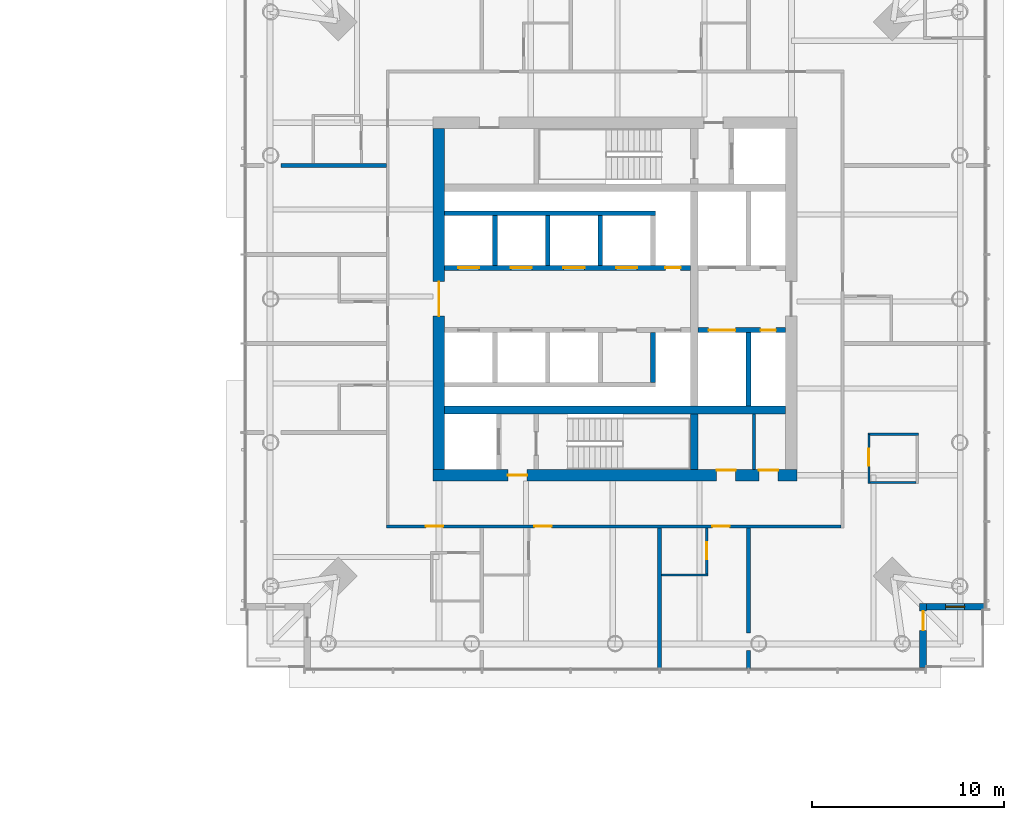
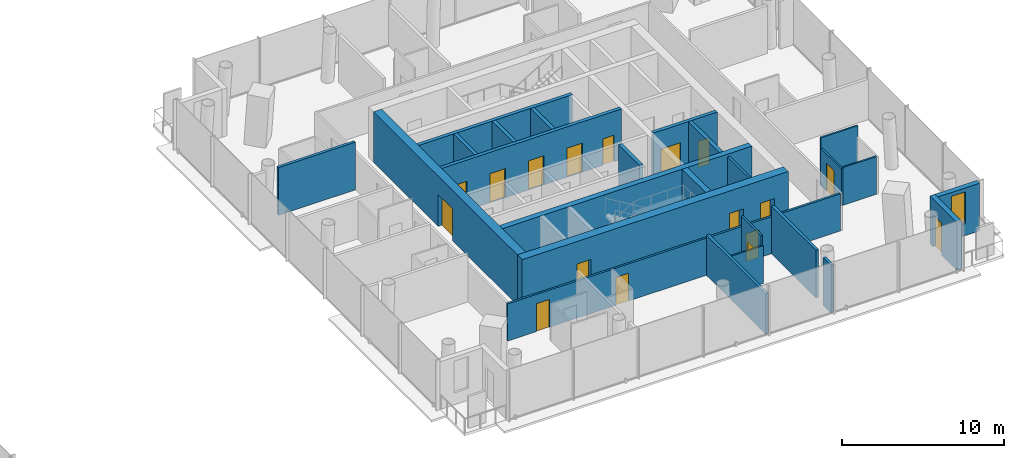
# One storey, part 13 of 21: 25 walls, 17 doors, 1 window, 18 openings.
"""IFC4 building model written with IfcOpenShell, lengths in metres."""

import ifcopenshell
import ifcopenshell.guid

model = None  # the IFC model being written
_history = None  # IfcOwnerHistory: only IFC2X3 demands one
_inside = {}  # id of a spatial element -> (the spatial element, [elements in it])
_under = {}  # id of a project, library or spatial element -> (it, [spatial elements below it])
_declared = {}  # id of a project -> (the project, [libraries it declares])
_typed = {}  # id of a type object -> (the type object, [elements of that type])
_made_of = {}  # id of a material, layer set ... -> (it, [elements and type objects made of it])


def new_model(schema):
    """Start an empty IFC model of exactly this schema.

    Asked for "IFC4X3", IfcOpenShell would pick the latest addendum, in which some entities
    have other attributes; the version numbers below select the first issue.
    IFC2X3 requires an IfcOwnerHistory on every rooted entity: one is made here for all.
    """
    global model, _history
    if schema == "IFC4X3":
        model = ifcopenshell.file(schema_version=(4, 3, 0, 0))
    else:
        model = ifcopenshell.file(schema=schema)
    _inside.clear()
    _under.clear()
    _declared.clear()
    _typed.clear()
    _made_of.clear()
    _history = None
    if model.schema == "IFC2X3":
        org = make("IfcOrganization", Name="unknown")
        user = make(
            "IfcPersonAndOrganization",
            ThePerson=make("IfcPerson", FamilyName="unknown"),
            TheOrganization=org,
        )
        app = make(
            "IfcApplication",
            ApplicationDeveloper=org,
            Version="unknown",
            ApplicationFullName="unknown",
            ApplicationIdentifier="unknown",
        )
        _history = make(
            "IfcOwnerHistory",
            OwningUser=user,
            OwningApplication=app,
            ChangeAction="ADDED",
            CreationDate=0,
        )
    return model


def make(cls, **values):
    """One entity of the class cls with the attributes given. An attribute that is None is left unset."""
    return model.create_entity(
        cls, **{name: value for name, value in values.items() if value is not None}
    )


def rooted(cls, **values):
    """An entity with a GlobalId (a new one), such as an element, a storey or a relation."""
    return make(cls, GlobalId=ifcopenshell.guid.new(), OwnerHistory=_history, **values)


def si_unit(unit_type, name, prefix=None):
    """IfcSIUnit, for example si_unit("LENGTHUNIT", "METRE", prefix="MILLI")."""
    return make("IfcSIUnit", UnitType=unit_type, Prefix=prefix, Name=name)


def assignment(units):
    """IfcUnitAssignment: the units of a project."""
    return None if units is None else make("IfcUnitAssignment", Units=units)


def point(xyz):
    """IfcCartesianPoint."""
    return None if xyz is None else make("IfcCartesianPoint", Coordinates=xyz)


def direction(xyz):
    """IfcDirection."""
    return None if xyz is None else make("IfcDirection", DirectionRatios=xyz)


def frame(location, z_axis=None, x_axis=None):
    """IfcAxis2Placement3D, a coordinate frame: its origin and axes. An axis left out is left unset."""
    return make(
        "IfcAxis2Placement3D",
        Location=point(location),
        Axis=direction(z_axis),
        RefDirection=direction(x_axis),
    )


def frame_2d(location, x_axis=None):
    """IfcAxis2Placement2D, a coordinate frame in the plane: its origin and x axis."""
    return make(
        "IfcAxis2Placement2D", Location=point(location), RefDirection=direction(x_axis)
    )


def origin():
    """The frame at (0, 0, 0) with its axes left unset."""
    return frame((0.0, 0.0, 0.0))


def place(relative_to, where):
    """IfcLocalPlacement: puts the frame where relative to a parent placement (None: the world)."""
    return make(
        "IfcLocalPlacement", PlacementRelTo=relative_to, RelativePlacement=where
    )


def context(
    kind, dimensions, precision=None, world=None, true_north=None, identifier=None
):
    """IfcGeometricRepresentationContext, for example the 3D "Model" context."""
    return make(
        "IfcGeometricRepresentationContext",
        ContextIdentifier=identifier,
        ContextType=kind,
        CoordinateSpaceDimension=dimensions,
        Precision=precision,
        WorldCoordinateSystem=world,
        TrueNorth=true_north,
    )


def subcontext(parent, identifier, kind, view, scale=None):
    """IfcGeometricRepresentationSubContext, for example "Body" below "Model"."""
    return make(
        "IfcGeometricRepresentationSubContext",
        ContextIdentifier=identifier,
        ContextType=kind,
        ParentContext=parent,
        TargetScale=scale,
        TargetView=view,
    )


def project(units=None, contexts=None):
    """IfcProject with its units and contexts."""
    return rooted(
        "IfcProject",
        Name="project",
        RepresentationContexts=contexts,
        UnitsInContext=assignment(units),
    )


def spatial(cls, under=None, at=None, **own):
    """A site, building, storey or space (cls), placed at a placement, below another one or the project."""
    s = rooted(cls, ObjectPlacement=at, **own)
    if under is not None:
        _under.setdefault(under.id(), (under, []))[1].append(s)
    return s


def profile(cls, at=None, kind="AREA", **sizes):
    """A parametric profile (cls). Its sizes go by their IFC names, for example OverallWidth=200.0."""
    return make(cls, ProfileType=kind, Position=at, **sizes)


def rectangle(**sizes):
    """IfcRectangleProfileDef."""
    return profile("IfcRectangleProfileDef", **sizes)


def extrude(swept, where, along, depth):
    """IfcExtrudedAreaSolid: the profile swept, set in the frame where, extruded along a direction by depth."""
    return make(
        "IfcExtrudedAreaSolid",
        SweptArea=swept,
        Position=where,
        ExtrudedDirection=direction(along),
        Depth=depth,
    )


def shape(context_of_items, identifier, shape_type, items):
    """IfcShapeRepresentation: the items that make up one representation, for example the "Body"."""
    return make(
        "IfcShapeRepresentation",
        ContextOfItems=context_of_items,
        RepresentationIdentifier=identifier,
        RepresentationType=shape_type,
        Items=items,
    )


def material(Name=None, Category=None):
    """IfcMaterial."""
    return make("IfcMaterial", Name=Name, Category=Category)


def layer(
    of_material, thickness, ventilated=None, Name=None, Category=None, Priority=None
):
    """IfcMaterialLayer: one layer of a wall or slab, of a material (None: an air gap)."""
    return make(
        "IfcMaterialLayer",
        Material=of_material,
        LayerThickness=thickness,
        IsVentilated=ventilated,
        Name=Name,
        Category=Category,
        Priority=Priority,
    )


def layer_set(layers, Name=None):
    """IfcMaterialLayerSet."""
    return make("IfcMaterialLayerSet", MaterialLayers=layers, LayerSetName=Name)


def made_of(thing, what):
    """Note that an element or type object is made of a material, layer set ...; save() writes the relation."""
    if what is not None:
        _made_of.setdefault(what.id(), (what, []))[1].append(thing)
    return thing


def type_object(cls, material=None, **own):
    """A type object (cls), such as IfcWallType, which elements share."""
    return made_of(rooted(cls, **own), material)


def element(
    cls,
    number,
    at=None,
    inside=None,
    cuts=None,
    type_object=None,
    material=None,
    context=None,
    identifier="Body",
    shape_type=None,
    held_by="IfcProductDefinitionShape",
    body=None,
    shapes=None,
    **own,
):
    """One element of the class cls, such as IfcWall. Its Tag is "e" and its number.

    at: its placement. inside: the storey or other place that contains it. cuts: it is an
    opening in that element (IfcRelVoidsElement). A single representation is given by context,
    identifier, shape_type and body (its items); several are given by shapes. held_by: the class
    of the entity that holds the representations. save() writes the other relations.
    """
    e = rooted(cls, Tag="e%d" % number, ObjectPlacement=at, **own)
    if body is not None:
        shapes = [shape(context, identifier, shape_type, body)]
    if shapes is not None:
        e.Representation = make(held_by, Representations=shapes)
    if inside is not None:
        _inside.setdefault(inside.id(), (inside, []))[1].append(e)
    if cuts is not None:
        rooted(
            "IfcRelVoidsElement", RelatingBuildingElement=cuts, RelatedOpeningElement=e
        )
    if type_object is not None:
        _typed.setdefault(type_object.id(), (type_object, []))[1].append(e)
    return made_of(e, material)


def fill(opening, filler):
    """IfcRelFillsElement: the door or window that sits in an opening."""
    return rooted(
        "IfcRelFillsElement",
        RelatingOpeningElement=opening,
        RelatedBuildingElement=filler,
    )


def aggregate(whole, parts):
    """IfcRelAggregates: a whole, such as a stair, and the parts it consists of."""
    return rooted("IfcRelAggregates", RelatingObject=whole, RelatedObjects=parts)


def save(model, path):
    """Write the relations noted so far, then the file.

    IfcRelAggregates (storeys below a building ...), IfcRelContainedInSpatialStructure (elements
    in a storey), IfcRelDefinesByType, IfcRelAssociatesMaterial and IfcRelDeclares: one each for
    every whole, place, type object, material and project.
    """
    for whole, parts in _under.values():
        aggregate(whole, parts)
    for where, things in _inside.values():
        rooted(
            "IfcRelContainedInSpatialStructure",
            RelatedElements=things,
            RelatingStructure=where,
        )
    for kind, things in _typed.values():
        rooted("IfcRelDefinesByType", RelatedObjects=things, RelatingType=kind)
    for what, things in _made_of.values():
        rooted("IfcRelAssociatesMaterial", RelatedObjects=things, RelatingMaterial=what)
    for by, libraries in _declared.values():
        rooted("IfcRelDeclares", RelatingContext=by, RelatedDefinitions=libraries)
    model.write(path)


model = new_model("IFC4")

# Units and contexts
model_context = context("Model", 3, precision=1e-05, world=origin(), true_north=direction((0.0, 1.0)))
body_context = subcontext(model_context, "Body", "Model", "MODEL_VIEW")
ifc_project = project(units=[si_unit("LENGTHUNIT", "METRE"), si_unit("AREAUNIT", "SQUARE_METRE"), si_unit("VOLUMEUNIT", "CUBIC_METRE"), si_unit("PLANEANGLEUNIT", "RADIAN"), si_unit("MASSUNIT", "GRAM", prefix="KILO")], contexts=[model_context])

# Site, building, storey
site_placement = place(None, origin())
site = spatial("IfcSite", under=ifc_project, at=site_placement, CompositionType="ELEMENT")
building_placement = place(site_placement, origin())
building = spatial("IfcBuilding", under=site, at=building_placement, Name="Ostroluk Exchange", CompositionType="ELEMENT")
storey_placement = place(building_placement, frame((0.0, 0.0, 43.800048828125)))
storey = spatial("IfcBuildingStorey", under=building, at=storey_placement, Name="L10", CompositionType="ELEMENT", Elevation=43.800048828125)

# Walls
ifc_material_1 = material(Name="Concrete blockwork", Category="masonry")
ifc_layer_1 = layer(ifc_material_1, 0.14990234375)
ifc_layer_set_1 = layer_set([ifc_layer_1], Name="Blockwork plant room wall 150")
wall_type_1 = type_object("IfcWallType", Name="Blockwork plant room wall 150", PredefinedType="SOLIDWALL", material=ifc_layer_set_1)
wall_1_placement = place(storey_placement, frame((124.2548828125, 37.10009765625, 0.0), z_axis=(0.0, 0.0, 1.0), x_axis=(0.0, 1.0, 0.0)))
element("IfcWall", 1, at=wall_1_placement, inside=storey, type_object=wall_type_1, Name="Core room wall", PredefinedType="SOLIDWALL", context=body_context, shape_type="SweptSolid", body=[
    extrude(rectangle(XDim=2.89990234375, YDim=0.14990234375, at=frame_2d((1.449951171875, 0.0))), origin(), (0.0, 0.0, 1.0), 3.599853515625),
])
ifc_material_2 = material(Name="Concrete C50/60", Category="concrete")
ifc_layer_2 = layer(ifc_material_2, 0.39990234375)
ifc_layer_set_2 = layer_set([ifc_layer_2], Name="Core cross wall 400 C50/60")
wall_type_2 = type_object("IfcWallType", Name="Core cross wall 400 C50/60", PredefinedType="SHEAR", material=ifc_layer_set_2)
wall_2_placement = place(storey_placement, frame((108.10009765625, 40.199951171875, 0.0), z_axis=(0.0, 0.0, 1.0), x_axis=(1.0, 0.0, 0.0)))
element("IfcWall", 2, at=wall_2_placement, inside=storey, type_object=wall_type_2, Name="T2 core wall XS", PredefinedType="SHEAR", context=body_context, shape_type="SweptSolid", body=[
    extrude(rectangle(XDim=17.7998046875, YDim=0.39990234375, at=frame_2d((8.89990234375, 0.0))), origin(), (0.0, 0.0, 1.0), 3.800048828125),
])
wall_3_placement = place(storey_placement, frame((121.1298828125, 37.10009765625, 0.0), z_axis=(0.0, 0.0, 1.0), x_axis=(0.0, 1.0, 0.0)))
element("IfcWall", 3, at=wall_3_placement, inside=storey, type_object=wall_type_2, Name="T2 core wall YE1", PredefinedType="SHEAR", context=body_context, shape_type="SweptSolid", body=[
    extrude(rectangle(XDim=2.89990234375, YDim=0.39990234375, at=frame_2d((1.449951171875, 0.0))), origin(), (0.0, 0.0, 1.0), 3.800048828125),
])
ifc_material_3 = material(Name="Concrete C40/50", Category="concrete")
ifc_layer_3 = layer(ifc_material_3, 0.25)
ifc_layer_set_3 = layer_set([ifc_layer_3], Name="Core shaft wall 250")
wall_type_3 = type_object("IfcWallType", Name="Core shaft wall 250", PredefinedType="SHEAR", material=ifc_layer_set_3)
for number, where, z_axis, x_axis, name in (
    (4, (110.72509765625, 47.75, 0.0), (0.0, 0.0, 1.0), (0.0, 1.0, 0.0), "Lift shaft wall"),
    (5, (113.47509765625, 47.75, 0.0), (0.0, 0.0, 1.0), (0.0, 1.0, 0.0), "Lift shaft wall"),
    (6, (116.22509765625, 47.75, 0.0), (0.0, 0.0, 1.0), (0.0, 1.0, 0.0), "Lift shaft wall"),
):
    element("IfcWall", number, at=place(storey_placement, frame(where, z_axis=z_axis, x_axis=x_axis)), inside=storey, type_object=wall_type_3, Name=name, PredefinedType="SHEAR", context=body_context, shape_type="SweptSolid", body=[
        extrude(rectangle(XDim=2.60009765625, YDim=0.25, at=frame_2d((1.300048828125, 0.0))), origin(), (0.0, 0.0, 1.0), 3.800048828125),
    ])
wall_4_placement = place(storey_placement, frame((108.10009765625, 50.47509765625, 0.0), z_axis=(0.0, 0.0, 1.0), x_axis=(1.0, 0.0, 0.0)))
element("IfcWall", 7, at=wall_4_placement, inside=storey, type_object=wall_type_3, Name="Lift shaft wall", PredefinedType="SHEAR", context=body_context, shape_type="SweptSolid", body=[
    extrude(rectangle(XDim=11.0, YDim=0.25, at=frame_2d((5.5, 0.0))), origin(), (0.0, 0.0, 1.0), 3.800048828125),
])

# Wall, openings, doors
wall_5_placement = place(storey_placement, frame((108.10009765625, 47.625, 0.0), z_axis=(0.0, 0.0, 1.0), x_axis=(1.0, 0.0, 0.0)))
wall_5 = element("IfcWall", 8, at=wall_5_placement, inside=storey, type_object=wall_type_3, Name="Lift shaft front wall", PredefinedType="SHEAR", context=body_context, shape_type="SweptSolid", body=[
    extrude(rectangle(XDim=12.829833984375, YDim=0.25, at=frame_2d((6.4150390625, 0.0))), origin(), (0.0, 0.0, 1.0), 3.800048828125),
])
opening_1_placement = place(wall_5_placement, frame((0.699951171875, 0.0, 0.0)))
opening_1 = element("IfcOpeningElement", 9, at=opening_1_placement, cuts=wall_5, Name="Opening LD", PredefinedType="OPENING", context=body_context, shape_type="SweptSolid", body=[
    extrude(rectangle(XDim=1.10009765625, YDim=2.199951171875, at=frame_2d((0.550048828125, 1.10009765625))), frame((0.0, 0.135009765625, 0.0), z_axis=(0.0, -1.0, 0.0), x_axis=(1.0, 0.0, 0.0)), (0.0, 0.0, 1.0), 0.27001953125),
])
opening_2_placement = place(wall_5_placement, frame((3.449951171875, 0.0, 0.0)))
opening_2 = element("IfcOpeningElement", 10, at=opening_2_placement, cuts=wall_5, Name="Opening LD", PredefinedType="OPENING", context=body_context, shape_type="SweptSolid", body=[
    extrude(rectangle(XDim=1.10009765625, YDim=2.199951171875, at=frame_2d((0.550048828125, 1.10009765625))), frame((0.0, 0.135009765625, 0.0), z_axis=(0.0, -1.0, 0.0), x_axis=(1.0, 0.0, 0.0)), (0.0, 0.0, 1.0), 0.27001953125),
])
opening_3_placement = place(wall_5_placement, frame((6.199951171875, 0.0, 0.0)))
opening_3 = element("IfcOpeningElement", 11, at=opening_3_placement, cuts=wall_5, Name="Opening LD", PredefinedType="OPENING", context=body_context, shape_type="SweptSolid", body=[
    extrude(rectangle(XDim=1.10009765625, YDim=2.199951171875, at=frame_2d((0.550048828125, 1.10009765625))), frame((0.0, 0.135009765625, 0.0), z_axis=(0.0, -1.0, 0.0), x_axis=(1.0, 0.0, 0.0)), (0.0, 0.0, 1.0), 0.27001953125),
])
opening_4_placement = place(wall_5_placement, frame((8.949951171875, 0.0, 0.0)))
opening_4 = element("IfcOpeningElement", 12, at=opening_4_placement, cuts=wall_5, Name="Opening LD", PredefinedType="OPENING", context=body_context, shape_type="SweptSolid", body=[
    extrude(rectangle(XDim=1.10009765625, YDim=2.199951171875, at=frame_2d((0.550048828125, 1.10009765625))), frame((0.0, 0.135009765625, 0.0), z_axis=(0.0, -1.0, 0.0), x_axis=(1.0, 0.0, 0.0)), (0.0, 0.0, 1.0), 0.27001953125),
])
opening_5_placement = place(wall_5_placement, frame((11.514892578125, 0.0, 0.0)))
opening_5 = element("IfcOpeningElement", 13, at=opening_5_placement, cuts=wall_5, Name="Opening RD60", PredefinedType="OPENING", context=body_context, shape_type="SweptSolid", body=[
    extrude(rectangle(XDim=0.800048828125, YDim=2.0, at=frame_2d((0.39990234375, 1.0))), frame((0.0, 0.135009765625, 0.0), z_axis=(0.0, -1.0, 0.0), x_axis=(1.0, 0.0, 0.0)), (0.0, 0.0, 1.0), 0.27001953125),
])
ifc_material_4 = material(Name="Stainless steel", Category="steel")
door_type_1 = type_object("IfcDoorType", Name="Lift landing door E 60 1100 x 2200", OperationType="DOUBLE_DOOR_SLIDING", PredefinedType="DOOR", material=ifc_material_4)
door_1_placement = place(opening_1_placement, origin())
door_1 = element("IfcDoor", 14, at=door_1_placement, inside=storey, type_object=door_type_1, Name="Lift HL1 landing door", OperationType="DOUBLE_DOOR_SLIDING", OverallHeight=2.199951171875, OverallWidth=1.10009765625, PredefinedType="DOOR", context=body_context, shape_type="SweptSolid", body=[
    extrude(rectangle(XDim=1.10009765625, YDim=2.199951171875, at=frame_2d((0.550048828125, 1.10009765625))), frame((0.0, 0.02490234375, 0.0), z_axis=(0.0, -1.0, 0.0), x_axis=(1.0, 0.0, 0.0)), (0.0, 0.0, 1.0), 0.050048828125),
])
fill(opening_1, door_1)
door_2_placement = place(opening_2_placement, origin())
door_2 = element("IfcDoor", 15, at=door_2_placement, inside=storey, type_object=door_type_1, Name="Lift HL2 landing door", OperationType="DOUBLE_DOOR_SLIDING", OverallHeight=2.199951171875, OverallWidth=1.10009765625, PredefinedType="DOOR", context=body_context, shape_type="SweptSolid", body=[
    extrude(rectangle(XDim=1.10009765625, YDim=2.199951171875, at=frame_2d((0.550048828125, 1.10009765625))), frame((0.0, 0.02490234375, 0.0), z_axis=(0.0, -1.0, 0.0), x_axis=(1.0, 0.0, 0.0)), (0.0, 0.0, 1.0), 0.050048828125),
])
fill(opening_2, door_2)
door_3_placement = place(opening_3_placement, origin())
door_3 = element("IfcDoor", 16, at=door_3_placement, inside=storey, type_object=door_type_1, Name="Lift HL3 landing door", OperationType="DOUBLE_DOOR_SLIDING", OverallHeight=2.199951171875, OverallWidth=1.10009765625, PredefinedType="DOOR", context=body_context, shape_type="SweptSolid", body=[
    extrude(rectangle(XDim=1.10009765625, YDim=2.199951171875, at=frame_2d((0.550048828125, 1.10009765625))), frame((0.0, 0.02490234375, 0.0), z_axis=(0.0, -1.0, 0.0), x_axis=(1.0, 0.0, 0.0)), (0.0, 0.0, 1.0), 0.050048828125),
])
fill(opening_3, door_3)
door_4_placement = place(opening_4_placement, origin())
door_4 = element("IfcDoor", 17, at=door_4_placement, inside=storey, type_object=door_type_1, Name="Lift HL4 landing door", OperationType="DOUBLE_DOOR_SLIDING", OverallHeight=2.199951171875, OverallWidth=1.10009765625, PredefinedType="DOOR", context=body_context, shape_type="SweptSolid", body=[
    extrude(rectangle(XDim=1.10009765625, YDim=2.199951171875, at=frame_2d((0.550048828125, 1.10009765625))), frame((0.0, 0.02490234375, 0.0), z_axis=(0.0, -1.0, 0.0), x_axis=(1.0, 0.0, 0.0)), (0.0, 0.0, 1.0), 0.050048828125),
])
fill(opening_4, door_4)
ifc_material_5 = material(Name="Steel", Category="steel")
door_type_2 = type_object("IfcDoorType", Name="Riser access door EI 60 800 x 2000", OperationType="SINGLE_SWING_LEFT", PredefinedType="DOOR", material=ifc_material_5)
door_5_placement = place(opening_5_placement, origin())
door_5 = element("IfcDoor", 18, at=door_5_placement, inside=storey, type_object=door_type_2, Name="Riser access door", OperationType="SINGLE_SWING_RIGHT", OverallHeight=2.0, OverallWidth=0.800048828125, PredefinedType="DOOR", context=body_context, shape_type="SweptSolid", body=[
    extrude(rectangle(XDim=0.800048828125, YDim=2.0, at=frame_2d((0.39990234375, 1.0))), frame((0.0, 0.02490234375, 0.0), z_axis=(0.0, -1.0, 0.0), x_axis=(1.0, 0.0, 0.0)), (0.0, 0.0, 1.0), 0.050048828125),
])
fill(opening_5, door_5)

# Walls
wall_6_placement = place(storey_placement, frame((118.97509765625, 44.25, 0.0), z_axis=(0.0, 0.0, 1.0), x_axis=(0.0, -1.0, 0.0)))
element("IfcWall", 19, at=wall_6_placement, inside=storey, type_object=wall_type_3, Name="Lift shaft wall", PredefinedType="SHEAR", context=body_context, shape_type="SweptSolid", body=[
    extrude(rectangle(XDim=2.60009765625, YDim=0.25, at=frame_2d((1.300048828125, 0.0))), origin(), (0.0, 0.0, 1.0), 3.800048828125),
])
wall_7_placement = place(storey_placement, frame((123.955078125, 44.25, 0.0), z_axis=(0.0, 0.0, 1.0), x_axis=(0.0, -1.0, 0.0)))
element("IfcWall", 20, at=wall_7_placement, inside=storey, type_object=wall_type_3, Name="Lift shaft wall", PredefinedType="SHEAR", context=body_context, shape_type="SweptSolid", body=[
    extrude(rectangle(XDim=3.85009765625, YDim=0.25, at=frame_2d((1.925048828125, 0.0))), origin(), (0.0, 0.0, 1.0), 3.800048828125),
])

# Wall, openings, doors
wall_8_placement = place(storey_placement, frame((121.330078125, 44.375, 0.0), z_axis=(0.0, 0.0, 1.0), x_axis=(1.0, 0.0, 0.0)))
wall_8 = element("IfcWall", 21, at=wall_8_placement, inside=storey, type_object=wall_type_3, Name="Lift shaft front wall", PredefinedType="SHEAR", context=body_context, shape_type="SweptSolid", body=[
    extrude(rectangle(XDim=4.56982421875, YDim=0.25, at=frame_2d((2.284912109375, 0.0))), origin(), (0.0, 0.0, 1.0), 3.800048828125),
])
opening_6_placement = place(wall_8_placement, frame((0.550048828125, 0.0, 0.0)))
opening_6 = element("IfcOpeningElement", 22, at=opening_6_placement, cuts=wall_8, Name="Opening LD3", PredefinedType="OPENING", context=body_context, shape_type="SweptSolid", body=[
    extrude(rectangle(XDim=1.39990234375, YDim=2.39990234375, at=frame_2d((0.699951171875, 1.199951171875))), frame((0.0, 0.135009765625, 0.0), z_axis=(0.0, -1.0, 0.0), x_axis=(1.0, 0.0, 0.0)), (0.0, 0.0, 1.0), 0.27001953125),
])
opening_7_placement = place(wall_8_placement, frame((3.260009765625, 0.0, 0.0)))
opening_7 = element("IfcOpeningElement", 23, at=opening_7_placement, cuts=wall_8, Name="Opening RD60", PredefinedType="OPENING", context=body_context, shape_type="SweptSolid", body=[
    extrude(rectangle(XDim=0.800048828125, YDim=2.0, at=frame_2d((0.39990234375, 1.0))), frame((0.0, 0.135009765625, 0.0), z_axis=(0.0, -1.0, 0.0), x_axis=(1.0, 0.0, 0.0)), (0.0, 0.0, 1.0), 0.27001953125),
])
ifc_material_6 = material(Name="Stainless steel", Category="steel")
door_type_3 = type_object("IfcDoorType", Name="Goods lift landing door E 60 1400 x 2400", OperationType="DOUBLE_DOOR_SLIDING", PredefinedType="DOOR", material=ifc_material_6)
door_6_placement = place(opening_6_placement, origin())
door_6 = element("IfcDoor", 24, at=door_6_placement, inside=storey, type_object=door_type_3, Name="Lift HS2 landing door", OperationType="DOUBLE_DOOR_SLIDING", OverallHeight=2.39990234375, OverallWidth=1.39990234375, PredefinedType="DOOR", context=body_context, shape_type="SweptSolid", body=[
    extrude(rectangle(XDim=1.39990234375, YDim=2.39990234375, at=frame_2d((0.699951171875, 1.199951171875))), frame((0.0, 0.02490234375, 0.0), z_axis=(0.0, -1.0, 0.0), x_axis=(1.0, 0.0, 0.0)), (0.0, 0.0, 1.0), 0.050048828125),
])
fill(opening_6, door_6)
door_7_placement = place(opening_7_placement, origin())
door_7 = element("IfcDoor", 25, at=door_7_placement, inside=storey, type_object=door_type_2, Name="Riser access door", OperationType="SINGLE_SWING_RIGHT", OverallHeight=2.0, OverallWidth=0.800048828125, PredefinedType="DOOR", context=body_context, shape_type="SweptSolid", body=[
    extrude(rectangle(XDim=0.800048828125, YDim=2.0, at=frame_2d((0.39990234375, 1.0))), frame((0.0, 0.02490234375, 0.0), z_axis=(0.0, -1.0, 0.0), x_axis=(1.0, 0.0, 0.0)), (0.0, 0.0, 1.0), 0.050048828125),
])
fill(opening_7, door_7)

ifc_material_7 = material(Name="Concrete C50/60", Category="concrete")
ifc_layer_4 = layer(ifc_material_7, 0.60009765625)
ifc_layer_set_4 = layer_set([ifc_layer_4], Name="Core wall 600 C50/60")
wall_type_4 = type_object("IfcWallType", Name="Core wall 600 C50/60", PredefinedType="SHEAR", material=ifc_layer_set_4)
wall_9_placement = place(storey_placement, frame((107.5, 36.800048828125, 0.0), z_axis=(0.0, 0.0, 1.0), x_axis=(1.0, 0.0, 0.0)))
wall_9 = element("IfcWall", 26, at=wall_9_placement, inside=storey, type_object=wall_type_4, Name="T2 core wall S", PredefinedType="SHEAR", context=body_context, shape_type="SweptSolid", body=[
    extrude(rectangle(XDim=19.0, YDim=0.60009765625, at=frame_2d((9.5, 0.0))), origin(), (0.0, 0.0, 1.0), 3.800048828125),
])
opening_8_placement = place(wall_9_placement, frame((3.89990234375, 0.0, 0.0)))
opening_8 = element("IfcOpeningElement", 27, at=opening_8_placement, cuts=wall_9, Name="Opening FD60", PredefinedType="OPENING", context=body_context, shape_type="SweptSolid", body=[
    extrude(rectangle(XDim=1.0, YDim=2.10009765625, at=frame_2d((0.5, 1.050048828125))), frame((0.0, 0.31005859375, 0.0), z_axis=(0.0, -1.0, 0.0), x_axis=(1.0, 0.0, 0.0)), (0.0, 0.0, 1.0), 0.6201171875),
])
opening_9_placement = place(wall_9_placement, frame((14.79248046875, 0.0, 0.0)))
opening_9 = element("IfcOpeningElement", 28, at=opening_9_placement, cuts=wall_9, Name="Opening FD60", PredefinedType="OPENING", context=body_context, shape_type="SweptSolid", body=[
    extrude(rectangle(XDim=1.0, YDim=2.10009765625, at=frame_2d((0.5, 1.050048828125))), frame((0.0, 0.31005859375, 0.0), z_axis=(0.0, -1.0, 0.0), x_axis=(1.0, 0.0, 0.0)), (0.0, 0.0, 1.0), 0.6201171875),
])
opening_10_placement = place(wall_9_placement, frame((17.0048828125, 0.0, 0.0)))
opening_10 = element("IfcOpeningElement", 29, at=opening_10_placement, cuts=wall_9, Name="Opening FD60", PredefinedType="OPENING", context=body_context, shape_type="SweptSolid", body=[
    extrude(rectangle(XDim=1.0, YDim=2.10009765625, at=frame_2d((0.5, 1.050048828125))), frame((0.0, 0.31005859375, 0.0), z_axis=(0.0, -1.0, 0.0), x_axis=(1.0, 0.0, 0.0)), (0.0, 0.0, 1.0), 0.6201171875),
])
ifc_material_8 = material(Name="Steel", Category="steel")
door_type_4 = type_object("IfcDoorType", Name="Fire door EI 60 1000 x 2100", OperationType="SINGLE_SWING_LEFT", PredefinedType="DOOR", material=ifc_material_8)
door_8_placement = place(opening_8_placement, origin())
door_8 = element("IfcDoor", 30, at=door_8_placement, inside=storey, type_object=door_type_4, Name="Firefighting lobby door", OperationType="SINGLE_SWING_LEFT", OverallHeight=2.10009765625, OverallWidth=1.0, PredefinedType="DOOR", context=body_context, shape_type="SweptSolid", body=[
    extrude(rectangle(XDim=1.0, YDim=2.10009765625, at=frame_2d((0.5, 1.050048828125))), frame((0.0, 0.02490234375, 0.0), z_axis=(0.0, -1.0, 0.0), x_axis=(1.0, 0.0, 0.0)), (0.0, 0.0, 1.0), 0.050048828125),
])
fill(opening_8, door_8)
door_9_placement = place(opening_9_placement, origin())
door_9 = element("IfcDoor", 31, at=door_9_placement, inside=storey, type_object=door_type_4, Name="Ice and vending room door", OperationType="SINGLE_SWING_RIGHT", OverallHeight=2.10009765625, OverallWidth=1.0, PredefinedType="DOOR", context=body_context, shape_type="SweptSolid", body=[
    extrude(rectangle(XDim=1.0, YDim=2.10009765625, at=frame_2d((0.5, 1.050048828125))), frame((0.0, 0.2900390625, 0.0), z_axis=(0.0, -1.0, 0.0), x_axis=(1.0, 0.0, 0.0)), (0.0, 0.0, 1.0), 0.050048828125),
])
fill(opening_9, door_9)
door_10_placement = place(opening_10_placement, origin())
door_10 = element("IfcDoor", 32, at=door_10_placement, inside=storey, type_object=door_type_4, Name="Luggage store door", OperationType="SINGLE_SWING_RIGHT", OverallHeight=2.10009765625, OverallWidth=1.0, PredefinedType="DOOR", context=body_context, shape_type="SweptSolid", body=[
    extrude(rectangle(XDim=1.0, YDim=2.10009765625, at=frame_2d((0.5, 1.050048828125))), frame((0.0, 0.2900390625, 0.0), z_axis=(0.0, -1.0, 0.0), x_axis=(1.0, 0.0, 0.0)), (0.0, 0.0, 1.0), 0.050048828125),
])
fill(opening_10, door_10)

# Wall, opening, door
wall_10_placement = place(storey_placement, frame((107.800048828125, 37.10009765625, 0.0), z_axis=(0.0, 0.0, 1.0), x_axis=(0.0, 1.0, 0.0)))
wall_10 = element("IfcWall", 33, at=wall_10_placement, inside=storey, type_object=wall_type_4, Name="T2 core wall W", PredefinedType="SHEAR", context=body_context, shape_type="SweptSolid", body=[
    extrude(rectangle(XDim=17.7998046875, YDim=0.60009765625, at=frame_2d((8.89990234375, 0.0))), origin(), (0.0, 0.0, 1.0), 3.800048828125),
])
opening_11_placement = place(wall_10_placement, frame((8.0, 0.0, 0.0)))
opening_11 = element("IfcOpeningElement", 34, at=opening_11_placement, cuts=wall_10, Name="Opening FD30D", PredefinedType="OPENING", context=body_context, shape_type="SweptSolid", body=[
    extrude(rectangle(XDim=1.800048828125, YDim=2.39990234375, at=frame_2d((0.89990234375, 1.199951171875))), frame((0.0, 0.31005859375, 0.0), z_axis=(0.0, -1.0, 0.0), x_axis=(1.0, 0.0, 0.0)), (0.0, 0.0, 1.0), 0.6201171875),
])
ifc_material_9 = material(Name="Timber", Category="wood")
door_type_5 = type_object("IfcDoorType", Name="Lobby double door EI 30 1800 x 2400", OperationType="DOUBLE_DOOR_SINGLE_SWING", PredefinedType="DOOR", material=ifc_material_9)
door_11_placement = place(opening_11_placement, origin())
door_11 = element("IfcDoor", 35, at=door_11_placement, inside=storey, type_object=door_type_5, Name="Lift lobby doors", OperationType="DOUBLE_DOOR_SINGLE_SWING", OverallHeight=2.39990234375, OverallWidth=1.800048828125, PredefinedType="DOOR", context=body_context, shape_type="SweptSolid", body=[
    extrude(rectangle(XDim=1.800048828125, YDim=2.39990234375, at=frame_2d((0.89990234375, 1.199951171875))), frame((0.0, 0.02490234375, 0.0), z_axis=(0.0, -1.0, 0.0), x_axis=(1.0, 0.0, 0.0)), (0.0, 0.0, 1.0), 0.050048828125),
])
fill(opening_11, door_11)

ifc_material_10 = material(Name="Limestone", Category="masonry")
ifc_layer_5 = layer(ifc_material_10, 0.35009765625)
ifc_layer_set_5 = layer_set([ifc_layer_5], Name="Limestone facade wall 350")
wall_type_5 = type_object("IfcWallType", Name="Limestone facade wall 350", PredefinedType="SOLIDWALL", material=ifc_layer_set_5)
wall_11_placement = place(storey_placement, frame((133.074951171875, 26.75, 0.0), z_axis=(0.0, 0.0, 1.0), x_axis=(0.0, 1.0, 0.0)))
wall_11 = element("IfcWall", 36, at=wall_11_placement, inside=storey, type_object=wall_type_5, Name="Hotel tower SE corner wall L10 a", PredefinedType="SOLIDWALL", context=body_context, shape_type="SweptSolid", body=[
    extrude(rectangle(XDim=3.35009765625, YDim=0.35009765625, at=frame_2d((1.675048828125, 0.0))), origin(), (0.0, 0.0, 1.0), 3.599853515625),
])
opening_12_placement = place(wall_11_placement, frame((1.949951171875, 0.0, 0.0)))
opening_12 = element("IfcOpeningElement", 37, at=opening_12_placement, cuts=wall_11, Name="Opening D-B1", PredefinedType="OPENING", context=body_context, shape_type="SweptSolid", body=[
    extrude(rectangle(XDim=1.0, YDim=2.39990234375, at=frame_2d((0.5, 1.199951171875))), frame((0.0, 0.18505859375, 0.0), z_axis=(0.0, -1.0, 0.0), x_axis=(1.0, 0.0, 0.0)), (0.0, 0.0, 1.0), 0.3701171875),
])
ifc_material_11 = material(Name="Bronze framed glazed door", Category="aluminium")
door_type_6 = type_object("IfcDoorType", Name="Balcony door 1000 x 2400", OperationType="SINGLE_SWING_LEFT", PredefinedType="DOOR", material=ifc_material_11)
door_12_placement = place(opening_12_placement, origin())
door_12 = element("IfcDoor", 38, at=door_12_placement, inside=storey, type_object=door_type_6, Name="Hotel tower SE balcony door L10", OperationType="SINGLE_SWING_RIGHT", OverallHeight=2.39990234375, OverallWidth=1.0, PredefinedType="DOOR", context=body_context, shape_type="SweptSolid", body=[
    extrude(rectangle(XDim=1.0, YDim=2.39990234375, at=frame_2d((0.5, 1.199951171875))), frame((0.0, 0.02490234375, 0.0), z_axis=(0.0, -1.0, 0.0), x_axis=(1.0, 0.0, 0.0)), (0.0, 0.0, 1.0), 0.050048828125),
])
fill(opening_12, door_12)

# Wall, opening, window
wall_12_placement = place(storey_placement, frame((133.25, 29.925048828125, 0.0), z_axis=(0.0, 0.0, 1.0), x_axis=(1.0, 0.0, 0.0)))
wall_12 = element("IfcWall", 39, at=wall_12_placement, inside=storey, type_object=wall_type_5, Name="Hotel tower SE corner wall L10 b", PredefinedType="SOLIDWALL", context=body_context, shape_type="SweptSolid", body=[
    extrude(rectangle(XDim=3.0, YDim=0.35009765625, at=frame_2d((1.5, 0.0))), origin(), (0.0, 0.0, 1.0), 3.599853515625),
])
opening_13_placement = place(wall_12_placement, frame((1.0, 0.0, 0.89990234375)))
opening_13 = element("IfcOpeningElement", 40, at=opening_13_placement, cuts=wall_12, Name="Opening WN-L3", PredefinedType="OPENING", context=body_context, shape_type="SweptSolid", body=[
    extrude(rectangle(XDim=1.0, YDim=2.39990234375, at=frame_2d((0.5, 1.199951171875))), frame((0.0, 0.18505859375, 0.0), z_axis=(0.0, -1.0, 0.0), x_axis=(1.0, 0.0, 0.0)), (0.0, 0.0, 1.0), 0.3701171875),
])
ifc_material_12 = material(Name="Laminated clear glass", Category="glass")
window_type = type_object("IfcWindowType", Name="Hotel lancet window 1000 x 2400", PartitioningType="SINGLE_PANEL", PredefinedType="WINDOW", material=ifc_material_12)
window_placement = place(opening_13_placement, origin())
window = element("IfcWindow", 41, at=window_placement, inside=storey, type_object=window_type, Name="Hotel tower SE lancet window L10", OverallHeight=2.39990234375, OverallWidth=1.0, PartitioningType="SINGLE_PANEL", PredefinedType="WINDOW", context=body_context, shape_type="SweptSolid", body=[
    extrude(rectangle(XDim=1.0, YDim=2.39990234375, at=frame_2d((0.5, 1.199951171875))), frame((0.0, 0.030029296875, 0.0), z_axis=(0.0, -1.0, 0.0), x_axis=(1.0, 0.0, 0.0)), (0.0, 0.0, 1.0), 0.06005859375),
])
fill(opening_13, window)

# Wall, opening, door
ifc_material_13 = material(Name="Gypsum plasterboard partition, moisture resistant", Category="gypsum")
ifc_layer_6 = layer(ifc_material_13, 0.1201171875)
ifc_layer_set_6 = layer_set([ifc_layer_6], Name="Plasterboard en-suite wall 120")
wall_type_6 = type_object("IfcWallType", Name="Plasterboard en-suite wall 120", PredefinedType="PARTITIONING", material=ifc_layer_set_6)
wall_13_placement = place(storey_placement, frame((130.25, 38.935791015625, 0.0), z_axis=(0.0, 0.0, 1.0), x_axis=(0.0, -1.0, 0.0)))
wall_13 = element("IfcWall", 42, at=wall_13_placement, inside=storey, type_object=wall_type_6, Name="En-suite wall", PredefinedType="PARTITIONING", context=body_context, shape_type="SweptSolid", body=[
    extrude(rectangle(XDim=2.580078125, YDim=0.1201171875, at=frame_2d((1.2900390625, 0.0))), origin(), (0.0, 0.0, 1.0), 2.800048828125),
])
opening_14_placement = place(wall_13_placement, frame((0.75, 0.0, 0.0)))
opening_14 = element("IfcOpeningElement", 43, at=opening_14_placement, cuts=wall_13, Name="Opening D-02", PredefinedType="OPENING", context=body_context, shape_type="SweptSolid", body=[
    extrude(rectangle(XDim=0.89990234375, YDim=2.10009765625, at=frame_2d((0.449951171875, 1.050048828125))), frame((0.0, 0.070068359375, 0.0), z_axis=(0.0, -1.0, 0.0), x_axis=(1.0, 0.0, 0.0)), (0.0, 0.0, 1.0), 0.14013671875),
])
ifc_material_14 = material(Name="Timber", Category="wood")
door_type_7 = type_object("IfcDoorType", Name="En-suite door 900 x 2100", OperationType="SINGLE_SWING_LEFT", PredefinedType="DOOR", material=ifc_material_14)
door_13_placement = place(opening_14_placement, origin())
door_13 = element("IfcDoor", 44, at=door_13_placement, inside=storey, type_object=door_type_7, Name="En-suite door 1001", OperationType="SINGLE_SWING_LEFT", OverallHeight=2.10009765625, OverallWidth=0.89990234375, PredefinedType="DOOR", context=body_context, shape_type="SweptSolid", body=[
    extrude(rectangle(XDim=0.89990234375, YDim=2.10009765625, at=frame_2d((0.449951171875, 1.050048828125))), frame((0.0, 0.02490234375, 0.0), z_axis=(0.0, -1.0, 0.0), x_axis=(1.0, 0.0, 0.0)), (0.0, 0.0, 1.0), 0.050048828125),
])
fill(opening_14, door_13)

# Walls
wall_14_placement = place(storey_placement, frame((130.31005859375, 36.415771484375, 0.0), z_axis=(0.0, 0.0, 1.0), x_axis=(1.0, 0.0, 0.0)))
element("IfcWall", 45, at=wall_14_placement, inside=storey, type_object=wall_type_6, Name="En-suite wall", PredefinedType="PARTITIONING", context=body_context, shape_type="SweptSolid", body=[
    extrude(rectangle(XDim=2.39990234375, YDim=0.1201171875, at=frame_2d((1.199951171875, 0.0))), origin(), (0.0, 0.0, 1.0), 2.846923828125),
])
wall_15_placement = place(storey_placement, frame((130.18994140625, 38.935791015625, 0.0), z_axis=(0.0, 0.0, 1.0), x_axis=(1.0, 0.0, 0.0)))
element("IfcWall", 46, at=wall_15_placement, inside=storey, type_object=wall_type_6, Name="En-suite wall", PredefinedType="PARTITIONING", context=body_context, shape_type="SweptSolid", body=[
    extrude(rectangle(XDim=2.64013671875, YDim=0.1201171875, at=frame_2d((1.320068359375, 0.0))), origin(), (0.0, 0.0, 1.0), 3.599853515625),
])
wall_16_placement = place(storey_placement, frame((119.42138671875, 31.590087890625, 0.0), z_axis=(0.0, 0.0, 1.0), x_axis=(1.0, 0.0, 0.0)))
element("IfcWall", 47, at=wall_16_placement, inside=storey, type_object=wall_type_6, Name="En-suite wall", PredefinedType="PARTITIONING", context=body_context, shape_type="SweptSolid", body=[
    extrude(rectangle(XDim=2.419921875, YDim=0.1201171875, at=frame_2d((1.2099609375, 0.0))), origin(), (0.0, 0.0, 1.0), 2.846923828125),
])

# Wall, opening, door
wall_17_placement = place(storey_placement, frame((121.781494140625, 34.050048828125, 0.0), z_axis=(0.0, 0.0, 1.0), x_axis=(0.0, -1.0, 0.0)))
wall_17 = element("IfcWall", 48, at=wall_17_placement, inside=storey, type_object=wall_type_6, Name="En-suite wall", PredefinedType="PARTITIONING", context=body_context, shape_type="SweptSolid", body=[
    extrude(rectangle(XDim=2.400146484375, YDim=0.1201171875, at=frame_2d((1.2001953125, 0.0))), origin(), (0.0, 0.0, 1.0), 3.599853515625),
])
opening_15_placement = place(wall_17_placement, frame((0.75, 0.0, 0.0)))
opening_15 = element("IfcOpeningElement", 49, at=opening_15_placement, cuts=wall_17, Name="Opening D-02", PredefinedType="OPENING", context=body_context, shape_type="SweptSolid", body=[
    extrude(rectangle(XDim=0.89990234375, YDim=2.10009765625, at=frame_2d((0.449951171875, 1.050048828125))), frame((0.0, 0.070068359375, 0.0), z_axis=(0.0, -1.0, 0.0), x_axis=(1.0, 0.0, 0.0)), (0.0, 0.0, 1.0), 0.14013671875),
])
door_14_placement = place(opening_15_placement, origin())
door_14 = element("IfcDoor", 50, at=door_14_placement, inside=storey, type_object=door_type_7, Name="En-suite door 1010", OperationType="SINGLE_SWING_RIGHT", OverallHeight=2.10009765625, OverallWidth=0.89990234375, PredefinedType="DOOR", context=body_context, shape_type="SweptSolid", body=[
    extrude(rectangle(XDim=0.89990234375, YDim=2.10009765625, at=frame_2d((0.449951171875, 1.050048828125))), frame((0.0, 0.02490234375, 0.0), z_axis=(0.0, -1.0, 0.0), x_axis=(1.0, 0.0, 0.0)), (0.0, 0.0, 1.0), 0.050048828125),
])
fill(opening_15, door_14)

# Wall, openings, doors
ifc_material_15 = material(Name="Gypsum plasterboard partition", Category="gypsum")
ifc_layer_7 = layer(ifc_material_15, 0.14990234375)
ifc_layer_set_7 = layer_set([ifc_layer_7], Name="Plasterboard partition 150")
wall_type_7 = type_object("IfcWallType", Name="Plasterboard partition 150", PredefinedType="PARTITIONING", material=ifc_layer_set_7)
wall_18_placement = place(storey_placement, frame((105.050048828125, 34.125, 0.0), z_axis=(0.0, 0.0, 1.0), x_axis=(1.0, 0.0, 0.0)))
wall_18 = element("IfcWall", 51, at=wall_18_placement, inside=storey, type_object=wall_type_7, Name="Corridor wall", PredefinedType="PARTITIONING", context=body_context, shape_type="SweptSolid", body=[
    extrude(rectangle(XDim=23.75, YDim=0.14990234375, at=frame_2d((11.875, 0.0))), origin(), (0.0, 0.0, 1.0), 2.800048828125),
])
opening_16_placement = place(wall_18_placement, frame((2.06787109375, 0.0, 0.0)))
opening_16 = element("IfcOpeningElement", 52, at=opening_16_placement, cuts=wall_18, Name="Opening D-01", PredefinedType="OPENING", context=body_context, shape_type="SweptSolid", body=[
    extrude(rectangle(XDim=0.89990234375, YDim=2.10009765625, at=frame_2d((0.449951171875, 1.050048828125))), frame((0.0, 0.0849609375, 0.0), z_axis=(0.0, -1.0, 0.0), x_axis=(1.0, 0.0, 0.0)), (0.0, 0.0, 1.0), 0.169921875),
])
opening_17_placement = place(wall_18_placement, frame((7.735595703125, 0.0, 0.0)))
opening_17 = element("IfcOpeningElement", 53, at=opening_17_placement, cuts=wall_18, Name="Opening D-01", PredefinedType="OPENING", context=body_context, shape_type="SweptSolid", body=[
    extrude(rectangle(XDim=0.89990234375, YDim=2.10009765625, at=frame_2d((0.449951171875, 1.050048828125))), frame((0.0, 0.0849609375, 0.0), z_axis=(0.0, -1.0, 0.0), x_axis=(1.0, 0.0, 0.0)), (0.0, 0.0, 1.0), 0.169921875),
])
opening_18_placement = place(wall_18_placement, frame((17.021484375, 0.0, 0.0)))
opening_18 = element("IfcOpeningElement", 54, at=opening_18_placement, cuts=wall_18, Name="Opening D-01", PredefinedType="OPENING", context=body_context, shape_type="SweptSolid", body=[
    extrude(rectangle(XDim=0.89990234375, YDim=2.10009765625, at=frame_2d((0.449951171875, 1.050048828125))), frame((0.0, 0.0849609375, 0.0), z_axis=(0.0, -1.0, 0.0), x_axis=(1.0, 0.0, 0.0)), (0.0, 0.0, 1.0), 0.169921875),
])
ifc_material_16 = material(Name="Timber", Category="wood")
door_type_8 = type_object("IfcDoorType", Name="Hotel room door EI 30 Sa 900 x 2100", OperationType="SINGLE_SWING_LEFT", PredefinedType="DOOR", material=ifc_material_16)
door_15_placement = place(opening_16_placement, origin())
door_15 = element("IfcDoor", 55, at=door_15_placement, inside=storey, type_object=door_type_8, Name="Room door 1008", OperationType="SINGLE_SWING_LEFT", OverallHeight=2.10009765625, OverallWidth=0.89990234375, PredefinedType="DOOR", context=body_context, shape_type="SweptSolid", body=[
    extrude(rectangle(XDim=0.89990234375, YDim=2.10009765625, at=frame_2d((0.449951171875, 1.050048828125))), frame((0.0, 0.02490234375, 0.0), z_axis=(0.0, -1.0, 0.0), x_axis=(1.0, 0.0, 0.0)), (0.0, 0.0, 1.0), 0.050048828125),
])
fill(opening_16, door_15)
door_16_placement = place(opening_17_placement, origin())
door_16 = element("IfcDoor", 56, at=door_16_placement, inside=storey, type_object=door_type_8, Name="Room door 1009", OperationType="SINGLE_SWING_LEFT", OverallHeight=2.10009765625, OverallWidth=0.89990234375, PredefinedType="DOOR", context=body_context, shape_type="SweptSolid", body=[
    extrude(rectangle(XDim=0.89990234375, YDim=2.10009765625, at=frame_2d((0.449951171875, 1.050048828125))), frame((0.0, 0.02490234375, 0.0), z_axis=(0.0, -1.0, 0.0), x_axis=(1.0, 0.0, 0.0)), (0.0, 0.0, 1.0), 0.050048828125),
])
fill(opening_17, door_16)
door_17_placement = place(opening_18_placement, origin())
door_17 = element("IfcDoor", 57, at=door_17_placement, inside=storey, type_object=door_type_8, Name="Room door 1010", OperationType="SINGLE_SWING_RIGHT", OverallHeight=2.10009765625, OverallWidth=0.89990234375, PredefinedType="DOOR", context=body_context, shape_type="SweptSolid", body=[
    extrude(rectangle(XDim=0.89990234375, YDim=2.10009765625, at=frame_2d((0.449951171875, 1.050048828125))), frame((0.0, 0.02490234375, 0.0), z_axis=(0.0, -1.0, 0.0), x_axis=(1.0, 0.0, 0.0)), (0.0, 0.0, 1.0), 0.050048828125),
])
fill(opening_18, door_17)

# Walls
ifc_material_17 = material(Name="Gypsum plasterboard partition", Category="gypsum")
ifc_layer_8 = layer(ifc_material_17, 0.199951171875)
ifc_layer_set_8 = layer_set([ifc_layer_8], Name="Plasterboard party wall 200")
wall_type_8 = type_object("IfcWallType", Name="Plasterboard party wall 200", PredefinedType="PARTITIONING", material=ifc_layer_set_8)
wall_19_placement = place(storey_placement, frame((105.050048828125, 52.96435546875, 0.0), z_axis=(0.0, 0.0, 1.0), x_axis=(-1.0, 0.0, 0.0)))
element("IfcWall", 58, at=wall_19_placement, inside=storey, type_object=wall_type_8, Name="Party wall", PredefinedType="PARTITIONING", context=body_context, shape_type="SweptSolid", body=[
    extrude(rectangle(XDim=5.4970703125, YDim=0.199951171875, at=frame_2d((2.74853515625, 0.0))), origin(), (0.0, 0.0, 1.0), 3.599853515625),
])
wall_20_placement = place(storey_placement, frame((119.321533203125, 34.050048828125, 0.0), z_axis=(0.0, 0.0, 1.0), x_axis=(0.0, -1.0, 0.0)))
element("IfcWall", 59, at=wall_20_placement, inside=storey, type_object=wall_type_8, Name="Party wall", PredefinedType="PARTITIONING", context=body_context, shape_type="SweptSolid", body=[
    extrude(rectangle(XDim=7.340087890625, YDim=0.199951171875, at=frame_2d((3.669921875, 0.0))), origin(), (0.0, 0.0, 1.0), 3.050048828125),
])
wall_21_placement = place(storey_placement, frame((123.96435546875, 34.050048828125, 0.0), z_axis=(0.0, 0.0, 1.0), x_axis=(0.0, -1.0, 0.0)))
element("IfcWall", 60, at=wall_21_placement, inside=storey, type_object=wall_type_8, Name="Party wall", PredefinedType="PARTITIONING", context=body_context, shape_type="SweptSolid", body=[
    extrude(rectangle(XDim=5.4970703125, YDim=0.199951171875, at=frame_2d((2.74853515625, 0.0))), origin(), (0.0, 0.0, 1.0), 3.599853515625),
])
wall_22_placement = place(storey_placement, frame((123.96435546875, 27.65185546875, 0.0), z_axis=(0.0, 0.0, 1.0), x_axis=(0.0, -1.0, 0.0)))
element("IfcWall", 61, at=wall_22_placement, inside=storey, type_object=wall_type_8, Name="Party wall", PredefinedType="PARTITIONING", context=body_context, shape_type="SweptSolid", body=[
    extrude(rectangle(XDim=0.94189453125, YDim=0.199951171875, at=frame_2d((0.470947265625, 0.0))), origin(), (0.0, 0.0, 1.0), 3.599853515625),
])

save(model, "model.ifc")
